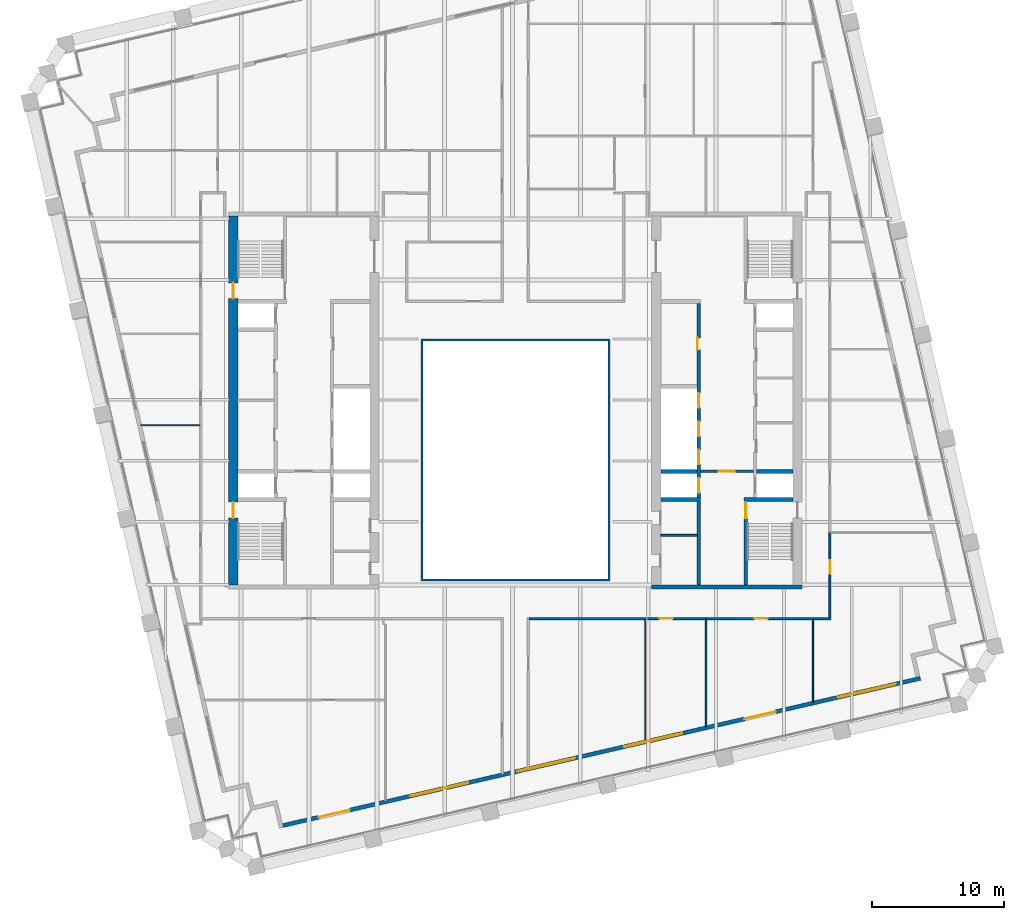
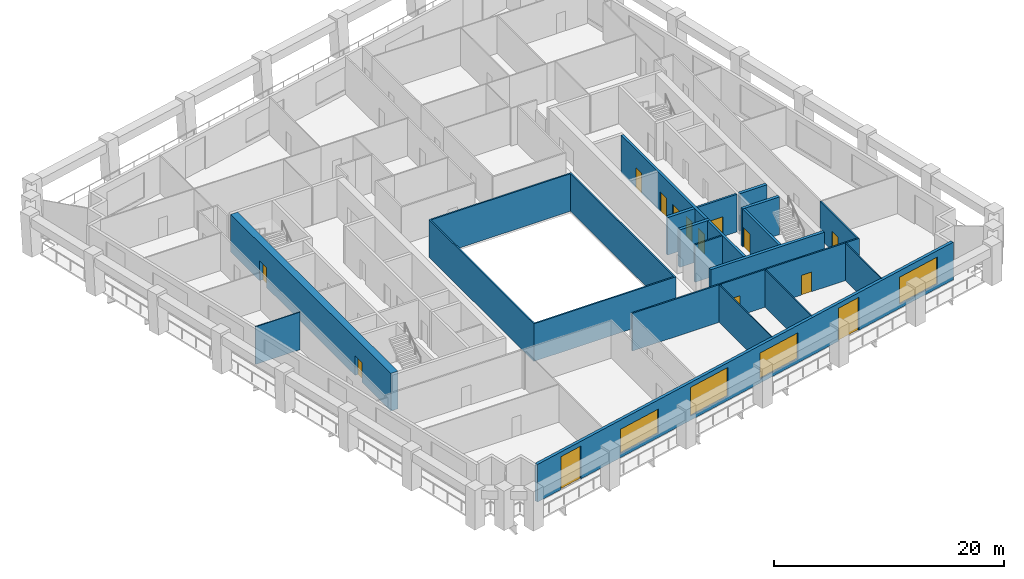
# One storey, part 5 of 10: 21 walls, 14 doors, 4 windows, 18 openings.
"""IFC4 building model written with IfcOpenShell, lengths in metres."""

from ifc_helpers import new_model, si_unit, direction, frame, frame_2d, origin, place, context, subcontext, project, spatial, polyline, rectangle, outline, extrude, material, layer, layer_set, type_object, element, fill, save


model = new_model("IFC4")

# Units and contexts
model_context = context("Model", 3, precision=1e-05, world=origin(), true_north=direction((0.0, 1.0)))
body_context = subcontext(model_context, "Body", "Model", "MODEL_VIEW")
ifc_project = project(units=[si_unit("LENGTHUNIT", "METRE"), si_unit("AREAUNIT", "SQUARE_METRE"), si_unit("VOLUMEUNIT", "CUBIC_METRE"), si_unit("PLANEANGLEUNIT", "RADIAN"), si_unit("MASSUNIT", "GRAM", prefix="KILO")], contexts=[model_context])

# Site, building, storey
site_placement = place(None, origin())
site = spatial("IfcSite", under=ifc_project, at=site_placement, CompositionType="ELEMENT")
building_placement = place(site_placement, origin())
building = spatial("IfcBuilding", under=site, at=building_placement, Name="Ogive Exchange Tower", CompositionType="ELEMENT")
storey_placement = place(building_placement, frame((0.0, 0.0, 188.39990234375)))
storey = spatial("IfcBuildingStorey", under=building, at=storey_placement, Name="L41", CompositionType="ELEMENT", Elevation=188.39990234375)

# Walls
ifc_material_1 = material(Name="Gypsum board partition")
ifc_layer_1 = layer(ifc_material_1, 0.14990234375)
ifc_layer_set_1 = layer_set([ifc_layer_1], Name="Core room partition 150 gypsum")
wall_type_1 = type_object("IfcWallType", Name="Core room partition 150 gypsum", PredefinedType="PARTITIONING", material=ifc_layer_set_1)
wall_1_placement = place(storey_placement, frame((11.0, 1.300048828125, 0.0), z_axis=(0.0, 0.0, 1.0), x_axis=(1.0, 0.0, 0.0)))
element("IfcWall", 1, at=wall_1_placement, inside=storey, type_object=wall_type_1, Name="E south room partition", PredefinedType="PARTITIONING", context=body_context, shape_type="SweptSolid", body=[
    extrude(rectangle(XDim=2.75, YDim=0.14990234375, at=frame_2d((1.375, 0.0))), origin(), (0.0, 0.0, 1.0), 4.0),
])
ifc_material_2 = material(Name="Fire partition EI 60 150")
ifc_layer_2 = layer(ifc_material_2, 0.14990234375)
ifc_layer_set_2 = layer_set([ifc_layer_2], Name="Fire partition EI 60 150")
wall_type_2 = type_object("IfcWallType", Name="Fire partition EI 60 150", PredefinedType="PARTITIONING", material=ifc_layer_set_2)
wall_2_placement = place(storey_placement, frame((9.8798828125, -5.0, 0.0), z_axis=(0.0, 0.0, 1.0), x_axis=(-1.0, 0.0, 0.0)))
element("IfcWall", 2, at=wall_2_placement, inside=storey, type_object=wall_type_2, Name="L41-PWL-055", PredefinedType="PARTITIONING", context=body_context, shape_type="SweptSolid", body=[
    extrude(rectangle(XDim=8.81494140625, YDim=0.14990234375, at=frame_2d((4.407470703125, 0.0))), origin(), (0.0, 0.0, 1.0), 4.0),
])

# Wall, opening, door
wall_3_placement = place(storey_placement, frame((14.429931640625, -5.0, 0.0), z_axis=(0.0, 0.0, 1.0), x_axis=(-1.0, 0.0, 0.0)))
wall_3 = element("IfcWall", 3, at=wall_3_placement, inside=storey, type_object=wall_type_2, Name="L41-PWL-064", PredefinedType="PARTITIONING", context=body_context, shape_type="SweptSolid", body=[
    extrude(rectangle(XDim=4.429931640625, YDim=0.14990234375, at=frame_2d((2.21484375, 0.0))), origin(), (0.0, 0.0, 1.0), 4.0),
])
opening_1_placement = place(wall_3_placement, frame((2.530029296875, 0.0, 0.0)))
opening_1 = element("IfcOpeningElement", 4, at=opening_1_placement, cuts=wall_3, Name="Opening L41-I16", PredefinedType="OPENING", context=body_context, shape_type="SweptSolid", body=[
    extrude(rectangle(XDim=1.0, YDim=2.10009765625, at=frame_2d((0.5, 1.050048828125))), frame((0.0, 0.0849609375, 0.0), z_axis=(0.0, -1.0, 0.0), x_axis=(1.0, 0.0, 0.0)), (0.0, 0.0, 1.0), 0.169921875),
])
ifc_material_3 = material(Name="Fire door FD 30S 1000 x 2100")
door_type_1 = type_object("IfcDoorType", Name="Fire door FD 30S 1000 x 2100", OperationType="NOTDEFINED", PredefinedType="DOOR", material=ifc_material_3)
door_1_placement = place(opening_1_placement, origin())
door_1 = element("IfcDoor", 5, at=door_1_placement, inside=storey, type_object=door_type_1, Name="L41-IDR-016", ObjectType="DT3", OperationType="SINGLE_SWING_LEFT", OverallHeight=2.10009765625, OverallWidth=1.0, PredefinedType="DOOR", context=body_context, shape_type="SweptSolid", body=[
    extrude(rectangle(XDim=1.0, YDim=2.10009765625, at=frame_2d((0.5, 1.050048828125))), frame((0.0, 0.02490234375, 0.0), z_axis=(0.0, -1.0, 0.0), x_axis=(1.0, 0.0, 0.0)), (0.0, 0.0, 1.0), 0.050048828125),
])
fill(opening_1, door_1)

wall_4_placement = place(storey_placement, frame((22.570068359375, -5.0, 0.0), z_axis=(0.0, 0.0, 1.0), x_axis=(-1.0, 0.0, 0.0)))
wall_4 = element("IfcWall", 6, at=wall_4_placement, inside=storey, type_object=wall_type_2, Name="L41-PWL-070", PredefinedType="PARTITIONING", context=body_context, shape_type="SweptSolid", body=[
    extrude(rectangle(XDim=8.14013671875, YDim=0.14990234375, at=frame_2d((4.070068359375, 0.0))), origin(), (0.0, 0.0, 1.0), 4.0),
])
opening_2_placement = place(wall_4_placement, frame((3.489990234375, 0.0, 0.0)))
opening_2 = element("IfcOpeningElement", 7, at=opening_2_placement, cuts=wall_4, Name="Opening L41-I17", PredefinedType="OPENING", context=body_context, shape_type="SweptSolid", body=[
    extrude(rectangle(XDim=1.0, YDim=2.10009765625, at=frame_2d((0.5, 1.050048828125))), frame((0.0, 0.0849609375, 0.0), z_axis=(0.0, -1.0, 0.0), x_axis=(1.0, 0.0, 0.0)), (0.0, 0.0, 1.0), 0.169921875),
])
door_2_placement = place(opening_2_placement, origin())
door_2 = element("IfcDoor", 8, at=door_2_placement, inside=storey, type_object=door_type_1, Name="L41-IDR-017", ObjectType="DT3", OperationType="SINGLE_SWING_LEFT", OverallHeight=2.10009765625, OverallWidth=1.0, PredefinedType="DOOR", context=body_context, shape_type="SweptSolid", body=[
    extrude(rectangle(XDim=1.0, YDim=2.10009765625, at=frame_2d((0.5, 1.050048828125))), frame((0.0, 0.02490234375, 0.0), z_axis=(0.0, -1.0, 0.0), x_axis=(1.0, 0.0, 0.0)), (0.0, 0.0, 1.0), 0.050048828125),
])
fill(opening_2, door_2)

# Wall
wall_5_placement = place(storey_placement, frame((23.875, -5.0, 0.0), z_axis=(0.0, 0.0, 1.0), x_axis=(-1.0, 0.0, 0.0)))
element("IfcWall", 9, at=wall_5_placement, inside=storey, type_object=wall_type_2, Name="L41-PWL-077", PredefinedType="PARTITIONING", context=body_context, shape_type="SweptSolid", body=[
    extrude(rectangle(XDim=1.304931640625, YDim=0.14990234375, at=frame_2d((0.65234375, 0.0))), origin(), (0.0, 0.0, 1.0), 4.0),
])

# Wall, opening, door
wall_6_placement = place(storey_placement, frame((23.800048828125, 1.510009765625, 0.0), z_axis=(0.0, 0.0, 1.0), x_axis=(0.0, -1.0, 0.0)))
wall_6 = element("IfcWall", 10, at=wall_6_placement, inside=storey, type_object=wall_type_2, Name="L41-PWL-078", PredefinedType="PARTITIONING", context=body_context, shape_type="SweptSolid", body=[
    extrude(rectangle(XDim=6.43505859375, YDim=0.14990234375, at=frame_2d((3.217529296875, 0.0))), origin(), (0.0, 0.0, 1.0), 4.0),
])
opening_3_placement = place(wall_6_placement, frame((2.110107421875, 0.0, 0.0)))
opening_3 = element("IfcOpeningElement", 11, at=opening_3_placement, cuts=wall_6, Name="Opening L41-I18", PredefinedType="OPENING", context=body_context, shape_type="SweptSolid", body=[
    extrude(rectangle(XDim=1.0, YDim=2.10009765625, at=frame_2d((0.5, 1.050048828125))), frame((0.0, 0.0849609375, 0.0), z_axis=(0.0, -1.0, 0.0), x_axis=(1.0, 0.0, 0.0)), (0.0, 0.0, 1.0), 0.169921875),
])
door_3_placement = place(opening_3_placement, origin())
door_3 = element("IfcDoor", 12, at=door_3_placement, inside=storey, type_object=door_type_1, Name="L41-IDR-018", ObjectType="DT3", OperationType="SINGLE_SWING_RIGHT", OverallHeight=2.10009765625, OverallWidth=1.0, PredefinedType="DOOR", context=body_context, shape_type="SweptSolid", body=[
    extrude(rectangle(XDim=1.0, YDim=2.10009765625, at=frame_2d((0.5, 1.050048828125))), frame((0.0, 0.02490234375, 0.0), z_axis=(0.0, -1.0, 0.0), x_axis=(1.0, 0.0, 0.0)), (0.0, 0.0, 1.0), 0.050048828125),
])
fill(opening_3, door_3)

# Wall
ifc_material_4 = material(Name="Fire-resisting glass in steel frame", Category="steel")
ifc_layer_3 = layer(ifc_material_4, 0.14990234375)
ifc_layer_set_3 = layer_set([ifc_layer_3], Name="Fire-rated glazed wall 150")
wall_type_3 = type_object("IfcWallType", Name="Fire-rated glazed wall 150", PredefinedType="STANDARD", material=ifc_layer_set_3)
wall_7_placement = place(storey_placement, origin())
element("IfcWall", 13, at=wall_7_placement, inside=storey, type_object=wall_type_3, Name="Nave enclosure wall", PredefinedType="STANDARD", context=body_context, shape_type="SweptSolid", body=[
    extrude(outline(polyline([(-7.14990234375, -2.14990234375), (7.14990234375, -2.14990234375), (7.14990234375, 16.14990234375), (-7.14990234375, 16.14990234375), (-7.14990234375, -2.14990234375)]), holes=[polyline([(-7.0, -2.0), (-7.0, 16.0), (7.0, 16.0), (7.0, -2.0), (-7.0, -2.0)])]), origin(), (0.0, 0.0, 1.0), 4.0),
])

# Wall, openings, doors, windows
ifc_material_5 = material(Name="Precast concrete C40/50", Category="concrete")
ifc_layer_4 = layer(ifc_material_5, 0.300048828125)
ifc_layer_set_4 = layer_set([ifc_layer_4], Name="Limestone-faced wall 300")
wall_type_4 = type_object("IfcWallType", Name="Limestone-faced wall 300", PredefinedType="STANDARD", material=ifc_layer_set_4)
wall_8_placement = place(storey_placement, frame((-17.592041015625, -20.6572265625, 0.0), z_axis=(0.0, 0.0, 1.0), x_axis=(0.974370243697, 0.224950279389, 0.0)))
wall_8 = element("IfcWall", 14, at=wall_8_placement, inside=storey, type_object=wall_type_4, Name="External wall S1", PredefinedType="STANDARD", context=body_context, shape_type="SweptSolid", body=[
    extrude(rectangle(XDim=49.499755859375, YDim=0.300048828125, at=frame_2d((24.75, 0.0))), origin(), (0.0, 0.0, 1.0), 4.0),
])
opening_4_placement = place(wall_8_placement, frame((2.800048828125, 0.0, 0.0)))
opening_4 = element("IfcOpeningElement", 15, at=opening_4_placement, cuts=wall_8, Name="Opening D1", PredefinedType="OPENING", context=body_context, shape_type="SweptSolid", body=[
    extrude(rectangle(XDim=2.39990234375, YDim=3.5, at=frame_2d((1.199951171875, 1.75))), frame((0.0, 0.159912109375, 0.0), z_axis=(0.0, -1.0, 0.0), x_axis=(1.0, 0.0, 0.0)), (0.0, 0.0, 1.0), 0.320068359375),
])
opening_5_placement = place(wall_8_placement, frame((9.89990234375, 0.0, 0.449951171875)))
opening_5 = element("IfcOpeningElement", 16, at=opening_5_placement, cuts=wall_8, Name="Opening W1M", PredefinedType="OPENING", context=body_context, shape_type="SweptSolid", body=[
    extrude(rectangle(XDim=4.5, YDim=2.574951171875, at=frame_2d((2.25, 1.28759765625))), frame((0.0, 0.159912109375, 0.0), z_axis=(0.0, -1.0, 0.0), x_axis=(1.0, 0.0, 0.0)), (0.0, 0.0, 1.0), 0.320068359375),
])
opening_6_placement = place(wall_8_placement, frame((18.199951171875, 0.0, 0.449951171875)))
opening_6 = element("IfcOpeningElement", 17, at=opening_6_placement, cuts=wall_8, Name="Opening W1", PredefinedType="OPENING", context=body_context, shape_type="SweptSolid", body=[
    extrude(rectangle(XDim=4.5, YDim=3.050048828125, at=frame_2d((2.25, 1.52490234375))), frame((0.0, 0.159912109375, 0.0), z_axis=(0.0, -1.0, 0.0), x_axis=(1.0, 0.0, 0.0)), (0.0, 0.0, 1.0), 0.320068359375),
])
opening_7_placement = place(wall_8_placement, frame((26.5, 0.0, 0.449951171875)))
opening_7 = element("IfcOpeningElement", 18, at=opening_7_placement, cuts=wall_8, Name="Opening W1H", PredefinedType="OPENING", context=body_context, shape_type="SweptSolid", body=[
    extrude(rectangle(XDim=4.5, YDim=2.75, at=frame_2d((2.25, 1.375))), frame((0.0, 0.159912109375, 0.0), z_axis=(0.0, -1.0, 0.0), x_axis=(1.0, 0.0, 0.0)), (0.0, 0.0, 1.0), 0.320068359375),
])
opening_8_placement = place(wall_8_placement, frame((35.85009765625, 0.0, 0.0)))
opening_8 = element("IfcOpeningElement", 19, at=opening_8_placement, cuts=wall_8, Name="Opening D1", PredefinedType="OPENING", context=body_context, shape_type="SweptSolid", body=[
    extrude(rectangle(XDim=2.39990234375, YDim=3.5, at=frame_2d((1.199951171875, 1.75))), frame((0.0, 0.159912109375, 0.0), z_axis=(0.0, -1.0, 0.0), x_axis=(1.0, 0.0, 0.0)), (0.0, 0.0, 1.0), 0.320068359375),
])
opening_9_placement = place(wall_8_placement, frame((43.10009765625, 0.0, 0.449951171875)))
opening_9 = element("IfcOpeningElement", 20, at=opening_9_placement, cuts=wall_8, Name="Opening W1D", PredefinedType="OPENING", context=body_context, shape_type="SweptSolid", body=[
    extrude(rectangle(XDim=4.5, YDim=2.875, at=frame_2d((2.25, 1.4375))), frame((0.0, 0.159912109375, 0.0), z_axis=(0.0, -1.0, 0.0), x_axis=(1.0, 0.0, 0.0)), (0.0, 0.0, 1.0), 0.320068359375),
])
ifc_material_6 = material(Name="Clear glass in bronze frame", Category="glass")
door_type_2 = type_object("IfcDoorType", Name="Sliding loggia door 2400 x 3500", OperationType="DOUBLE_DOOR_SLIDING", PredefinedType="DOOR", material=ifc_material_6)
door_4_placement = place(opening_4_placement, origin())
door_4 = element("IfcDoor", 21, at=door_4_placement, inside=storey, type_object=door_type_2, Name="Loggia door S00", OperationType="DOUBLE_DOOR_SLIDING", OverallHeight=3.5, OverallWidth=2.39990234375, PredefinedType="DOOR", context=body_context, shape_type="SweptSolid", body=[
    extrude(rectangle(XDim=2.39990234375, YDim=3.5, at=frame_2d((1.199951171875, 1.75))), frame((0.0, 0.02490234375, 0.0), z_axis=(0.0, -1.0, 0.0), x_axis=(1.0, 0.0, 0.0)), (0.0, 0.0, 1.0), 0.050048828125),
])
fill(opening_4, door_4)
door_5_placement = place(opening_8_placement, origin())
door_5 = element("IfcDoor", 22, at=door_5_placement, inside=storey, type_object=door_type_2, Name="Loggia door S04", OperationType="DOUBLE_DOOR_SLIDING", OverallHeight=3.5, OverallWidth=2.39990234375, PredefinedType="DOOR", context=body_context, shape_type="SweptSolid", body=[
    extrude(rectangle(XDim=2.39990234375, YDim=3.5, at=frame_2d((1.199951171875, 1.75))), frame((0.0, 0.02490234375, 0.0), z_axis=(0.0, -1.0, 0.0), x_axis=(1.0, 0.0, 0.0)), (0.0, 0.0, 1.0), 0.050048828125),
])
fill(opening_8, door_5)
window_type_1 = type_object("IfcWindowType", Name="Twin lancet window 4500 x 2575", PartitioningType="DOUBLE_PANEL_VERTICAL", PredefinedType="WINDOW", material=ifc_material_6)
window_1_placement = place(opening_5_placement, origin())
window_1 = element("IfcWindow", 23, at=window_1_placement, inside=storey, type_object=window_type_1, Name="Window S01", OverallHeight=2.574951171875, OverallWidth=4.5, PartitioningType="DOUBLE_PANEL_VERTICAL", PredefinedType="WINDOW", context=body_context, shape_type="SweptSolid", body=[
    extrude(rectangle(XDim=4.5, YDim=2.574951171875, at=frame_2d((2.25, 1.28759765625))), frame((0.0, 0.030029296875, 0.0), z_axis=(0.0, -1.0, 0.0), x_axis=(1.0, 0.0, 0.0)), (0.0, 0.0, 1.0), 0.06005859375),
])
fill(opening_5, window_1)
window_type_2 = type_object("IfcWindowType", Name="Twin lancet window 4500 x 2750", PartitioningType="DOUBLE_PANEL_VERTICAL", PredefinedType="WINDOW", material=ifc_material_6)
window_2_placement = place(opening_7_placement, origin())
window_2 = element("IfcWindow", 24, at=window_2_placement, inside=storey, type_object=window_type_2, Name="Window S03", OverallHeight=2.75, OverallWidth=4.5, PartitioningType="DOUBLE_PANEL_VERTICAL", PredefinedType="WINDOW", context=body_context, shape_type="SweptSolid", body=[
    extrude(rectangle(XDim=4.5, YDim=2.75, at=frame_2d((2.25, 1.375))), frame((0.0, 0.030029296875, 0.0), z_axis=(0.0, -1.0, 0.0), x_axis=(1.0, 0.0, 0.0)), (0.0, 0.0, 1.0), 0.06005859375),
])
fill(opening_7, window_2)
window_type_3 = type_object("IfcWindowType", Name="Twin lancet window 4500 x 2875", PartitioningType="DOUBLE_PANEL_VERTICAL", PredefinedType="WINDOW", material=ifc_material_6)
window_3_placement = place(opening_9_placement, origin())
window_3 = element("IfcWindow", 25, at=window_3_placement, inside=storey, type_object=window_type_3, Name="Window S05", OverallHeight=2.875, OverallWidth=4.5, PartitioningType="DOUBLE_PANEL_VERTICAL", PredefinedType="WINDOW", context=body_context, shape_type="SweptSolid", body=[
    extrude(rectangle(XDim=4.5, YDim=2.875, at=frame_2d((2.25, 1.4375))), frame((0.0, 0.030029296875, 0.0), z_axis=(0.0, -1.0, 0.0), x_axis=(1.0, 0.0, 0.0)), (0.0, 0.0, 1.0), 0.06005859375),
])
fill(opening_9, window_3)
window_type_4 = type_object("IfcWindowType", Name="Twin lancet window 4500 x 3050", PartitioningType="DOUBLE_PANEL_VERTICAL", PredefinedType="WINDOW", material=ifc_material_6)
window_4_placement = place(opening_6_placement, origin())
window_4 = element("IfcWindow", 26, at=window_4_placement, inside=storey, type_object=window_type_4, Name="Window S02", OverallHeight=3.050048828125, OverallWidth=4.5, PartitioningType="DOUBLE_PANEL_VERTICAL", PredefinedType="WINDOW", context=body_context, shape_type="SweptSolid", body=[
    extrude(rectangle(XDim=4.5, YDim=3.050048828125, at=frame_2d((2.25, 1.52490234375))), frame((0.0, 0.030029296875, 0.0), z_axis=(0.0, -1.0, 0.0), x_axis=(1.0, 0.0, 0.0)), (0.0, 0.0, 1.0), 0.06005859375),
])
fill(opening_6, window_4)

# Walls
ifc_material_7 = material(Name="Partition 100 gypsum")
ifc_layer_5 = layer(ifc_material_7, 0.10009765625)
ifc_layer_set_5 = layer_set([ifc_layer_5], Name="Partition 100 gypsum")
wall_type_5 = type_object("IfcWallType", Name="Partition 100 gypsum", PredefinedType="PARTITIONING", material=ifc_layer_set_5)
wall_9_placement = place(storey_placement, frame((-23.875, 9.6201171875, 0.0), z_axis=(0.0, 0.0, 1.0), x_axis=(-1.0, 0.0, 0.0)))
element("IfcWall", 27, at=wall_9_placement, inside=storey, type_object=wall_type_5, Name="L41-PWL-004", PredefinedType="PARTITIONING", context=body_context, shape_type="SweptSolid", body=[
    extrude(rectangle(XDim=4.485107421875, YDim=0.10009765625, at=frame_2d((2.24267578125, 0.0))), origin(), (0.0, 0.0, 1.0), 4.0),
])
wall_10_placement = place(storey_placement, frame((9.830078125, -5.074951171875, 0.0), z_axis=(0.0, 0.0, 1.0), x_axis=(0.0, -1.0, 0.0)))
element("IfcWall", 28, at=wall_10_placement, inside=storey, type_object=wall_type_5, Name="L41-PWL-056", PredefinedType="PARTITIONING", context=body_context, shape_type="SweptSolid", body=[
    extrude(rectangle(XDim=9.179931640625, YDim=0.10009765625, at=frame_2d((4.58984375, 0.0))), origin(), (0.0, 0.0, 1.0), 4.0),
])
wall_11_placement = place(storey_placement, frame((14.429931640625, -5.074951171875, 0.0), z_axis=(0.0, 0.0, 1.0), x_axis=(0.0, -1.0, 0.0)))
element("IfcWall", 29, at=wall_11_placement, inside=storey, type_object=wall_type_5, Name="L41-PWL-065", PredefinedType="PARTITIONING", context=body_context, shape_type="SweptSolid", body=[
    extrude(rectangle(XDim=8.1181640625, YDim=0.10009765625, at=frame_2d((4.05908203125, 0.0))), origin(), (0.0, 0.0, 1.0), 4.0),
])
wall_12_placement = place(storey_placement, frame((22.52001953125, -5.074951171875, 0.0), z_axis=(0.0, 0.0, 1.0), x_axis=(0.0, -1.0, 0.0)))
element("IfcWall", 30, at=wall_12_placement, inside=storey, type_object=wall_type_5, Name="L41-PWL-071", PredefinedType="PARTITIONING", context=body_context, shape_type="SweptSolid", body=[
    extrude(rectangle(XDim=6.25, YDim=0.10009765625, at=frame_2d((3.125, 0.0))), origin(), (0.0, 0.0, 1.0), 4.0),
])

# Wall, opening, door
ifc_material_8 = material(Name="Concrete C70/85", Category="concrete")
ifc_layer_6 = layer(ifc_material_8, 0.199951171875)
ifc_layer_set_6 = layer_set([ifc_layer_6], Name="RC core wall 200 C70/85")
wall_type_6 = type_object("IfcWallType", Name="RC core wall 200 C70/85", PredefinedType="SHEAR", material=ifc_layer_set_6)
wall_13_placement = place(storey_placement, frame((14.0, 6.142822265625, 0.0), z_axis=(0.0, 0.0, 1.0), x_axis=(1.0, 0.0, 0.0)))
wall_13 = element("IfcWall", 31, at=wall_13_placement, inside=storey, type_object=wall_type_6, Name="E firefighting lobby wall", PredefinedType="SHEAR", context=body_context, shape_type="SweptSolid", body=[
    extrude(rectangle(XDim=4.0, YDim=0.199951171875, at=frame_2d((2.0, 0.0))), origin(), (0.0, 0.0, 1.0), 4.0),
])
opening_10_placement = place(wall_13_placement, frame((1.39990234375, 0.0, 0.0)))
opening_10 = element("IfcOpeningElement", 32, at=opening_10_placement, cuts=wall_13, Name="Opening L41-C28", PredefinedType="OPENING", context=body_context, shape_type="SweptSolid", body=[
    extrude(rectangle(XDim=1.199951171875, YDim=2.10009765625, at=frame_2d((0.60009765625, 1.050048828125))), frame((0.0, 0.10986328125, 0.0), z_axis=(0.0, -1.0, 0.0), x_axis=(1.0, 0.0, 0.0)), (0.0, 0.0, 1.0), 0.219970703125),
])
ifc_material_9 = material(Name="Steel fire door", Category="steel")
door_type_3 = type_object("IfcDoorType", Name="Firefighting lobby door FD60 1200 x 2100", OperationType="NOTDEFINED", PredefinedType="DOOR", material=ifc_material_9)
door_6_placement = place(opening_10_placement, frame((1.199951171875, 0.0, 0.0), z_axis=(0.0, 0.0, 1.0), x_axis=(-1.0, 0.0, 0.0)))
door_6 = element("IfcDoor", 33, at=door_6_placement, inside=storey, type_object=door_type_3, Name="Firefighting lobby door", ObjectType="CD3", OperationType="SINGLE_SWING_RIGHT", OverallHeight=2.10009765625, OverallWidth=1.199951171875, PredefinedType="DOOR", context=body_context, shape_type="SweptSolid", body=[
    extrude(rectangle(XDim=1.199951171875, YDim=2.10009765625, at=frame_2d((0.60009765625, 1.050048828125))), frame((0.0, 0.02490234375, 0.0), z_axis=(0.0, -1.0, 0.0), x_axis=(1.0, 0.0, 0.0)), (0.0, 0.0, 1.0), 0.050048828125),
])
fill(opening_10, door_6)

ifc_layer_7 = layer(ifc_material_8, 0.25)
ifc_layer_set_7 = layer_set([ifc_layer_7], Name="RC core wall 250 C70/85")
wall_type_7 = type_object("IfcWallType", Name="RC core wall 250 C70/85", PredefinedType="SHEAR", material=ifc_layer_set_7)
wall_14_placement = place(storey_placement, frame((17.425048828125, -2.449951171875, 0.0), z_axis=(0.0, 0.0, 1.0), x_axis=(0.0, 1.0, 0.0)))
wall_14 = element("IfcWall", 34, at=wall_14_placement, inside=storey, type_object=wall_type_7, Name="E stair S front wall", PredefinedType="SHEAR", context=body_context, shape_type="SweptSolid", body=[
    extrude(rectangle(XDim=6.300048828125, YDim=0.25, at=frame_2d((3.14990234375, 0.0))), origin(), (0.0, 0.0, 1.0), 4.0),
])
opening_11_placement = place(wall_14_placement, frame((5.050048828125, 0.0, 0.0)))
opening_11 = element("IfcOpeningElement", 35, at=opening_11_placement, cuts=wall_14, Name="Opening L41-C30", PredefinedType="OPENING", context=body_context, shape_type="SweptSolid", body=[
    extrude(rectangle(XDim=1.199951171875, YDim=2.10009765625, at=frame_2d((0.60009765625, 1.050048828125))), frame((0.0, 0.135009765625, 0.0), z_axis=(0.0, -1.0, 0.0), x_axis=(1.0, 0.0, 0.0)), (0.0, 0.0, 1.0), 0.27001953125),
])
door_type_4 = type_object("IfcDoorType", Name="Stair door FD90 1200 x 2100", OperationType="NOTDEFINED", PredefinedType="DOOR", material=ifc_material_9)
door_7_placement = place(opening_11_placement, frame((1.199951171875, 0.0, 0.0), z_axis=(0.0, 0.0, 1.0), x_axis=(-1.0, 0.0, 0.0)))
door_7 = element("IfcDoor", 36, at=door_7_placement, inside=storey, type_object=door_type_4, Name="Stair door", ObjectType="CD5", OperationType="SINGLE_SWING_RIGHT", OverallHeight=2.10009765625, OverallWidth=1.199951171875, PredefinedType="DOOR", context=body_context, shape_type="SweptSolid", body=[
    extrude(rectangle(XDim=1.199951171875, YDim=2.10009765625, at=frame_2d((0.60009765625, 1.050048828125))), frame((0.0, 0.02490234375, 0.0), z_axis=(0.0, -1.0, 0.0), x_axis=(1.0, 0.0, 0.0)), (0.0, 0.0, 1.0), 0.050048828125),
])
fill(opening_11, door_7)

# Wall, openings, doors
wall_15_placement = place(storey_placement, frame((13.875, -2.449951171875, 0.0), z_axis=(0.0, 0.0, 1.0), x_axis=(0.0, 1.0, 0.0)))
wall_15 = element("IfcWall", 37, at=wall_15_placement, inside=storey, type_object=wall_type_7, Name="E row B front wall", PredefinedType="SHEAR", context=body_context, shape_type="SweptSolid", body=[
    extrude(rectangle(XDim=21.300048828125, YDim=0.25, at=frame_2d((10.64990234375, 0.0))), origin(), (0.0, 0.0, 1.0), 4.0),
])
opening_12_placement = place(wall_15_placement, frame((17.78564453125, 0.0, 0.0)))
opening_12 = element("IfcOpeningElement", 38, at=opening_12_placement, cuts=wall_15, Name="Opening L41-C23", PredefinedType="OPENING", context=body_context, shape_type="SweptSolid", body=[
    extrude(rectangle(XDim=0.89990234375, YDim=2.10009765625, at=frame_2d((0.449951171875, 1.050048828125))), frame((0.0, 0.135009765625, 0.0), z_axis=(0.0, -1.0, 0.0), x_axis=(1.0, 0.0, 0.0)), (0.0, 0.0, 1.0), 0.27001953125),
])
opening_13_placement = place(wall_15_placement, frame((6.971435546875, 0.0, 0.0)))
opening_13 = element("IfcOpeningElement", 39, at=opening_13_placement, cuts=wall_15, Name="Opening L41-C24", PredefinedType="OPENING", context=body_context, shape_type="SweptSolid", body=[
    extrude(rectangle(XDim=1.10009765625, YDim=2.10009765625, at=frame_2d((0.550048828125, 1.050048828125))), frame((0.0, 0.135009765625, 0.0), z_axis=(0.0, -1.0, 0.0), x_axis=(1.0, 0.0, 0.0)), (0.0, 0.0, 1.0), 0.27001953125),
])
opening_14_placement = place(wall_15_placement, frame((9.1142578125, 0.0, 0.0)))
opening_14 = element("IfcOpeningElement", 40, at=opening_14_placement, cuts=wall_15, Name="Opening L41-C25", PredefinedType="OPENING", context=body_context, shape_type="SweptSolid", body=[
    extrude(rectangle(XDim=1.10009765625, YDim=2.10009765625, at=frame_2d((0.550048828125, 1.050048828125))), frame((0.0, 0.135009765625, 0.0), z_axis=(0.0, -1.0, 0.0), x_axis=(1.0, 0.0, 0.0)), (0.0, 0.0, 1.0), 0.27001953125),
])
opening_15_placement = place(wall_15_placement, frame((11.257080078125, 0.0, 0.0)))
opening_15 = element("IfcOpeningElement", 41, at=opening_15_placement, cuts=wall_15, Name="Opening L41-C26", PredefinedType="OPENING", context=body_context, shape_type="SweptSolid", body=[
    extrude(rectangle(XDim=1.10009765625, YDim=2.10009765625, at=frame_2d((0.550048828125, 1.050048828125))), frame((0.0, 0.135009765625, 0.0), z_axis=(0.0, -1.0, 0.0), x_axis=(1.0, 0.0, 0.0)), (0.0, 0.0, 1.0), 0.27001953125),
])
opening_16_placement = place(wall_15_placement, frame((13.39990234375, 0.0, 0.0)))
opening_16 = element("IfcOpeningElement", 42, at=opening_16_placement, cuts=wall_15, Name="Opening L41-C27", PredefinedType="OPENING", context=body_context, shape_type="SweptSolid", body=[
    extrude(rectangle(XDim=1.10009765625, YDim=2.10009765625, at=frame_2d((0.550048828125, 1.050048828125))), frame((0.0, 0.135009765625, 0.0), z_axis=(0.0, -1.0, 0.0), x_axis=(1.0, 0.0, 0.0)), (0.0, 0.0, 1.0), 0.27001953125),
])
ifc_material_10 = material(Name="Stainless steel", Category="steel")
door_type_5 = type_object("IfcDoorType", Name="Lift landing door FD90 1100 x 2100", OperationType="SLIDING_TO_LEFT", PredefinedType="DOOR", material=ifc_material_10)
door_8_placement = place(opening_13_placement, origin())
door_8 = element("IfcDoor", 43, at=door_8_placement, inside=storey, type_object=door_type_5, Name="Lift landing door SV2", ObjectType="LD", OperationType="SLIDING_TO_LEFT", OverallHeight=2.10009765625, OverallWidth=1.10009765625, PredefinedType="DOOR", context=body_context, shape_type="SweptSolid", body=[
    extrude(rectangle(XDim=1.10009765625, YDim=2.10009765625, at=frame_2d((0.550048828125, 1.050048828125))), frame((0.0, 0.02490234375, 0.0), z_axis=(0.0, -1.0, 0.0), x_axis=(1.0, 0.0, 0.0)), (0.0, 0.0, 1.0), 0.050048828125),
])
fill(opening_13, door_8)
door_9_placement = place(opening_14_placement, origin())
door_9 = element("IfcDoor", 44, at=door_9_placement, inside=storey, type_object=door_type_5, Name="Lift landing door E-M1", ObjectType="LD", OperationType="SLIDING_TO_LEFT", OverallHeight=2.10009765625, OverallWidth=1.10009765625, PredefinedType="DOOR", context=body_context, shape_type="SweptSolid", body=[
    extrude(rectangle(XDim=1.10009765625, YDim=2.10009765625, at=frame_2d((0.550048828125, 1.050048828125))), frame((0.0, 0.02490234375, 0.0), z_axis=(0.0, -1.0, 0.0), x_axis=(1.0, 0.0, 0.0)), (0.0, 0.0, 1.0), 0.050048828125),
])
fill(opening_14, door_9)
door_10_placement = place(opening_15_placement, origin())
door_10 = element("IfcDoor", 45, at=door_10_placement, inside=storey, type_object=door_type_5, Name="Lift landing door E-M2", ObjectType="LD", OperationType="SLIDING_TO_LEFT", OverallHeight=2.10009765625, OverallWidth=1.10009765625, PredefinedType="DOOR", context=body_context, shape_type="SweptSolid", body=[
    extrude(rectangle(XDim=1.10009765625, YDim=2.10009765625, at=frame_2d((0.550048828125, 1.050048828125))), frame((0.0, 0.02490234375, 0.0), z_axis=(0.0, -1.0, 0.0), x_axis=(1.0, 0.0, 0.0)), (0.0, 0.0, 1.0), 0.050048828125),
])
fill(opening_15, door_10)
door_11_placement = place(opening_16_placement, origin())
door_11 = element("IfcDoor", 46, at=door_11_placement, inside=storey, type_object=door_type_5, Name="Lift landing door E-M3", ObjectType="LD", OperationType="SLIDING_TO_LEFT", OverallHeight=2.10009765625, OverallWidth=1.10009765625, PredefinedType="DOOR", context=body_context, shape_type="SweptSolid", body=[
    extrude(rectangle(XDim=1.10009765625, YDim=2.10009765625, at=frame_2d((0.550048828125, 1.050048828125))), frame((0.0, 0.02490234375, 0.0), z_axis=(0.0, -1.0, 0.0), x_axis=(1.0, 0.0, 0.0)), (0.0, 0.0, 1.0), 0.050048828125),
])
fill(opening_16, door_11)
door_type_6 = type_object("IfcDoorType", Name="Riser door FD60 900 x 2100", OperationType="NOTDEFINED", PredefinedType="DOOR", material=ifc_material_9)
door_12_placement = place(opening_12_placement, origin())
door_12 = element("IfcDoor", 47, at=door_12_placement, inside=storey, type_object=door_type_6, Name="Riser door", ObjectType="CD2", OperationType="SINGLE_SWING_LEFT", OverallHeight=2.10009765625, OverallWidth=0.89990234375, PredefinedType="DOOR", context=body_context, shape_type="SweptSolid", body=[
    extrude(rectangle(XDim=0.89990234375, YDim=2.10009765625, at=frame_2d((0.449951171875, 1.050048828125))), frame((0.0, 0.125, 0.0), z_axis=(0.0, -1.0, 0.0), x_axis=(1.0, 0.0, 0.0)), (0.0, 0.0, 1.0), 0.050048828125),
])
fill(opening_12, door_12)

# Walls
ifc_layer_8 = layer(ifc_material_8, 0.300048828125)
ifc_layer_set_8 = layer_set([ifc_layer_8], Name="RC core wall 300 C70/85")
wall_type_8 = type_object("IfcWallType", Name="RC core wall 300 C70/85", PredefinedType="SHEAR", material=ifc_layer_set_8)
wall_16_placement = place(storey_placement, frame((10.300048828125, -2.60009765625, 0.0), z_axis=(0.0, 0.0, 1.0), x_axis=(1.0, 0.0, 0.0)))
element("IfcWall", 48, at=wall_16_placement, inside=storey, type_object=wall_type_8, Name="E south end wall", PredefinedType="SHEAR", context=body_context, shape_type="SweptSolid", body=[
    extrude(rectangle(XDim=11.39990234375, YDim=0.300048828125, at=frame_2d((5.699951171875, 0.0))), origin(), (0.0, 0.0, 1.0), 4.0),
])
wall_17_placement = place(storey_placement, frame((17.300048828125, 4.0, 0.0), z_axis=(0.0, 0.0, 1.0), x_axis=(1.0, 0.0, 0.0)))
element("IfcWall", 49, at=wall_17_placement, inside=storey, type_object=wall_type_8, Name="E stair S north wall", PredefinedType="SHEAR", context=body_context, shape_type="SweptSolid", body=[
    extrude(rectangle(XDim=3.699951171875, YDim=0.300048828125, at=frame_2d((1.85009765625, 0.0))), origin(), (0.0, 0.0, 1.0), 4.0),
])
wall_18_placement = place(storey_placement, frame((18.25, 6.142822265625, 0.0), z_axis=(0.0, 0.0, 1.0), x_axis=(1.0, 0.0, 0.0)))
element("IfcWall", 50, at=wall_18_placement, inside=storey, type_object=wall_type_8, Name="E row A divider 1", PredefinedType="SHEAR", context=body_context, shape_type="SweptSolid", body=[
    extrude(rectangle(XDim=2.75, YDim=0.300048828125, at=frame_2d((1.375, 0.0))), origin(), (0.0, 0.0, 1.0), 4.0),
])
wall_19_placement = place(storey_placement, frame((11.0, 4.0, 0.0), z_axis=(0.0, 0.0, 1.0), x_axis=(1.0, 0.0, 0.0)))
element("IfcWall", 51, at=wall_19_placement, inside=storey, type_object=wall_type_8, Name="E row B divider 0", PredefinedType="SHEAR", context=body_context, shape_type="SweptSolid", body=[
    extrude(rectangle(XDim=3.0, YDim=0.300048828125, at=frame_2d((1.5, 0.0))), origin(), (0.0, 0.0, 1.0), 4.0),
])
wall_20_placement = place(storey_placement, frame((11.0, 6.142822265625, 0.0), z_axis=(0.0, 0.0, 1.0), x_axis=(1.0, 0.0, 0.0)))
element("IfcWall", 52, at=wall_20_placement, inside=storey, type_object=wall_type_8, Name="E row B divider 1", PredefinedType="SHEAR", context=body_context, shape_type="SweptSolid", body=[
    extrude(rectangle(XDim=2.75, YDim=0.300048828125, at=frame_2d((1.375, 0.0))), origin(), (0.0, 0.0, 1.0), 4.0),
])

# Wall, openings, doors
ifc_layer_9 = layer(ifc_material_8, 0.699951171875)
ifc_layer_set_9 = layer_set([ifc_layer_9], Name="RC core wall 700 C70/85")
wall_type_9 = type_object("IfcWallType", Name="RC core wall 700 C70/85", PredefinedType="SHEAR", material=ifc_layer_set_9)
wall_21_placement = place(storey_placement, frame((-21.35009765625, -2.449951171875, 0.0), z_axis=(0.0, 0.0, 1.0), x_axis=(0.0, 1.0, 0.0)))
wall_21 = element("IfcWall", 53, at=wall_21_placement, inside=storey, type_object=wall_type_9, Name="W outer wall", PredefinedType="SHEAR", context=body_context, shape_type="SweptSolid", body=[
    extrude(rectangle(XDim=27.89990234375, YDim=0.699951171875, at=frame_2d((13.949951171875, 0.0))), origin(), (0.0, 0.0, 1.0), 4.0),
])
opening_17_placement = place(wall_21_placement, frame((5.050048828125, 0.0, 0.0)))
opening_17 = element("IfcOpeningElement", 54, at=opening_17_placement, cuts=wall_21, Name="Opening L41-C13", PredefinedType="OPENING", context=body_context, shape_type="SweptSolid", body=[
    extrude(rectangle(XDim=1.199951171875, YDim=2.10009765625, at=frame_2d((0.60009765625, 1.050048828125))), frame((0.0, 0.35986328125, 0.0), z_axis=(0.0, -1.0, 0.0), x_axis=(1.0, 0.0, 0.0)), (0.0, 0.0, 1.0), 0.719970703125),
])
opening_18_placement = place(wall_21_placement, frame((21.64990234375, 0.0, 0.0)))
opening_18 = element("IfcOpeningElement", 55, at=opening_18_placement, cuts=wall_21, Name="Opening L41-C15", PredefinedType="OPENING", context=body_context, shape_type="SweptSolid", body=[
    extrude(rectangle(XDim=1.199951171875, YDim=2.10009765625, at=frame_2d((0.60009765625, 1.050048828125))), frame((0.0, 0.35986328125, 0.0), z_axis=(0.0, -1.0, 0.0), x_axis=(1.0, 0.0, 0.0)), (0.0, 0.0, 1.0), 0.719970703125),
])
door_13_placement = place(opening_17_placement, frame((1.199951171875, 0.0, 0.0), z_axis=(0.0, 0.0, 1.0), x_axis=(-1.0, 0.0, 0.0)))
door_13 = element("IfcDoor", 56, at=door_13_placement, inside=storey, type_object=door_type_4, Name="Stair door", ObjectType="CD5", OperationType="SINGLE_SWING_RIGHT", OverallHeight=2.10009765625, OverallWidth=1.199951171875, PredefinedType="DOOR", context=body_context, shape_type="SweptSolid", body=[
    extrude(rectangle(XDim=1.199951171875, YDim=2.10009765625, at=frame_2d((0.60009765625, 1.050048828125))), frame((0.0, 0.02490234375, 0.0), z_axis=(0.0, -1.0, 0.0), x_axis=(1.0, 0.0, 0.0)), (0.0, 0.0, 1.0), 0.050048828125),
])
fill(opening_17, door_13)
door_14_placement = place(opening_18_placement, frame((1.199951171875, 0.0, 0.0), z_axis=(0.0, 0.0, 1.0), x_axis=(-1.0, 0.0, 0.0)))
door_14 = element("IfcDoor", 57, at=door_14_placement, inside=storey, type_object=door_type_4, Name="Stair door", ObjectType="CD5", OperationType="SINGLE_SWING_LEFT", OverallHeight=2.10009765625, OverallWidth=1.199951171875, PredefinedType="DOOR", context=body_context, shape_type="SweptSolid", body=[
    extrude(rectangle(XDim=1.199951171875, YDim=2.10009765625, at=frame_2d((0.60009765625, 1.050048828125))), frame((0.0, 0.02490234375, 0.0), z_axis=(0.0, -1.0, 0.0), x_axis=(1.0, 0.0, 0.0)), (0.0, 0.0, 1.0), 0.050048828125),
])
fill(opening_18, door_14)

save(model, "model.ifc")
